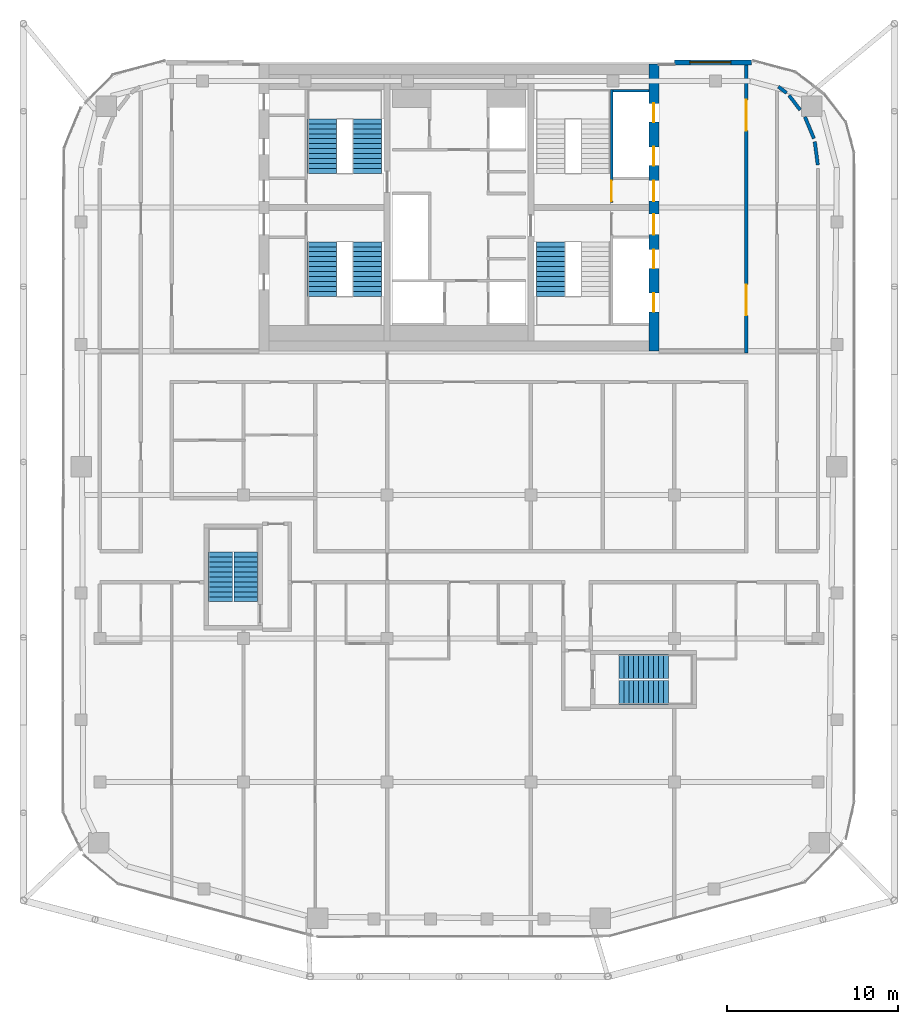
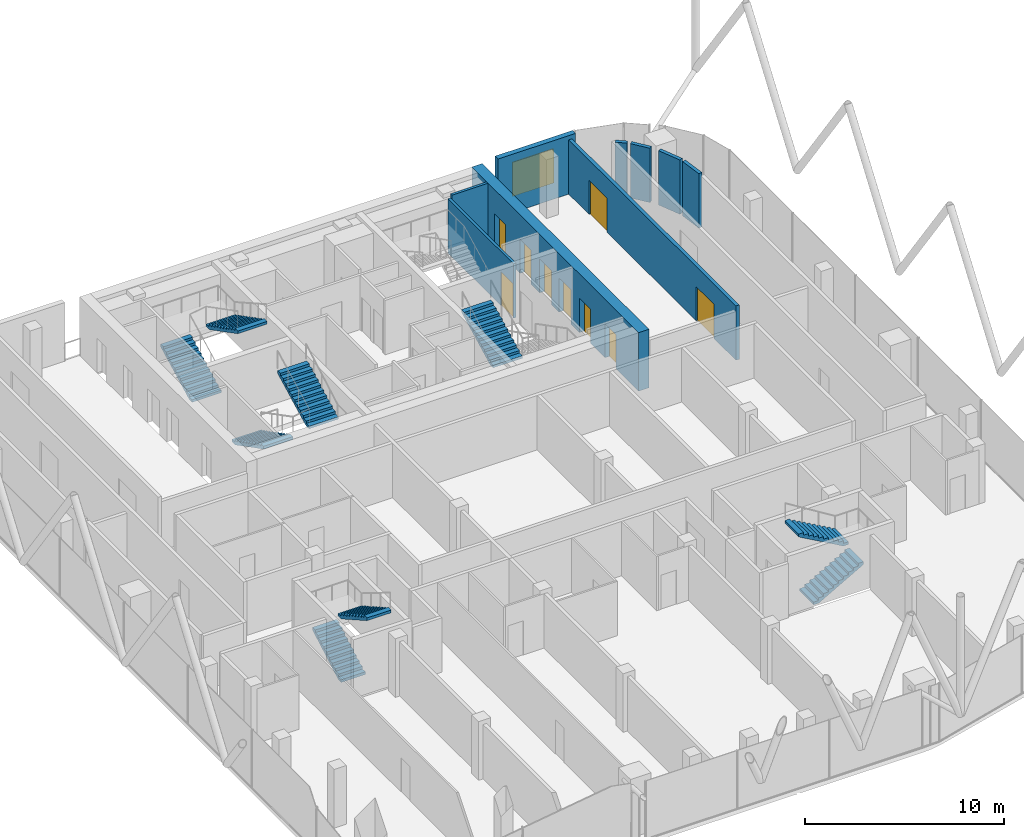
# One storey, part 25 of 27: 9 doors, 9 stair flights, 9 walls, 1 window, 10 openings, 5 elements without a shape of their own.
"""IFC4 building model written with IfcOpenShell, lengths in metres."""

from ifc_helpers import new_model, si_unit, direction, frame, frame_2d, origin, place, context, subcontext, project, spatial, polyline, rectangle, outline, extrude, material, layer, layer_set, type_object, element, fill, aggregate, save


model = new_model("IFC4")

# Units and contexts
model_context = context("Model", 3, precision=1e-05, world=origin(), true_north=direction((0.0, 1.0)))
body_context = subcontext(model_context, "Body", "Model", "MODEL_VIEW")
ifc_project = project(units=[si_unit("LENGTHUNIT", "METRE"), si_unit("AREAUNIT", "SQUARE_METRE"), si_unit("VOLUMEUNIT", "CUBIC_METRE"), si_unit("PLANEANGLEUNIT", "RADIAN"), si_unit("MASSUNIT", "GRAM", prefix="KILO")], contexts=[model_context])

# Site, building, storey
site_placement = place(None, origin())
site = spatial("IfcSite", under=ifc_project, at=site_placement, CompositionType="ELEMENT")
building_placement = place(site_placement, origin())
building = spatial("IfcBuilding", under=site, at=building_placement, Name="Marenta Gate Hotel Tower", CompositionType="ELEMENT")
storey_placement = place(building_placement, frame((0.0, 0.0, 270.5)))
storey = spatial("IfcBuildingStorey", under=building, at=storey_placement, Name="L62", CompositionType="ELEMENT", Elevation=270.5)

# Wall, opening, window
ifc_material_1 = material(Name="Concrete C40 board-marked", Category="concrete")
ifc_layer_1 = layer(ifc_material_1, 0.300048828125)
ifc_layer_set_1 = layer_set([ifc_layer_1], Name="Concrete C40 board-marked")
wall_type_1 = type_object("IfcWallType", Name="Board-marked concrete wall 300 mm", PredefinedType="NOTDEFINED", material=ifc_layer_set_1)
wall_1_placement = place(storey_placement, frame((17.10595703125, 16.889892578125, 0.0), z_axis=(0.0, 0.0, 1.0), x_axis=(-1.0, 0.0, 0.0)))
wall_1 = element("IfcWall", 1, at=wall_1_placement, inside=storey, type_object=wall_type_1, Name="L62-CLD-N00", PredefinedType="NOTDEFINED", context=body_context, shape_type="SweptSolid", body=[
    extrude(rectangle(XDim=4.505859375, YDim=0.300048828125, at=frame_2d((2.2529296875, 0.0))), origin(), (0.0, 0.0, 1.0), 3.60009765625),
])
opening_1_placement = place(wall_1_placement, frame((1.205810546875, 0.0, 0.89990234375)))
opening_1 = element("IfcOpeningElement", 2, at=opening_1_placement, cuts=wall_1, Name="Opening W1", PredefinedType="OPENING", context=body_context, shape_type="SweptSolid", body=[
    extrude(rectangle(XDim=2.39990234375, YDim=2.10009765625, at=frame_2d((1.199951171875, 1.050048828125))), frame((0.0, 0.14990234375, 0.0), z_axis=(0.0, -1.0, 0.0), x_axis=(1.0, 0.0, 0.0)), (0.0, 0.0, 1.0), 0.300048828125),
])
ifc_material_2 = material(Name="Tinted insulated glass in bronze anodised frame", Category="glass")
window_type = type_object("IfcWindowType", Name="Window W1 2400x2100 bronze frame", PartitioningType="SINGLE_PANEL", PredefinedType="WINDOW", material=ifc_material_2)
window_placement = place(opening_1_placement, origin())
window = element("IfcWindow", 3, at=window_placement, inside=storey, type_object=window_type, Name="Window W1", OverallHeight=2.10009765625, OverallWidth=2.39990234375, PartitioningType="SINGLE_PANEL", PredefinedType="WINDOW", context=body_context, shape_type="SweptSolid", body=[
    extrude(rectangle(XDim=2.39990234375, YDim=2.10009765625, at=frame_2d((1.199951171875, 1.050048828125))), frame((0.0, 0.030029296875, 0.0), z_axis=(0.0, -1.0, 0.0), x_axis=(1.0, 0.0, 0.0)), (0.0, 0.0, 1.0), 0.06005859375),
])
fill(opening_1, window)

# Wall, openings, doors
ifc_material_3 = material(Name="Concrete blockwork", Category="masonry")
ifc_layer_2 = layer(ifc_material_3, 0.199951171875)
ifc_layer_set_2 = layer_set([ifc_layer_2], Name="Concrete blockwork")
wall_type_2 = type_object("IfcWallType", Name="Core boundary wall 200 REI 180", PredefinedType="PARTITIONING", material=ifc_layer_set_2)
wall_2_placement = place(storey_placement, frame((16.800048828125, -0.10009765625, 0.0), z_axis=(0.0, 0.0, 1.0), x_axis=(0.0, 1.0, 0.0)))
wall_2 = element("IfcWall", 4, at=wall_2_placement, inside=storey, type_object=wall_type_2, Name="L62-CP-BW-E", PredefinedType="PARTITIONING", context=body_context, shape_type="SweptSolid", body=[
    extrude(rectangle(XDim=17.0, YDim=0.199951171875, at=frame_2d((8.5, 0.0))), origin(), (0.0, 0.0, 1.0), 3.340087890625),
])
opening_2_placement = place(wall_2_placement, frame((2.199951171875, 0.0, 0.0)))
opening_2 = element("IfcOpeningElement", 5, at=opening_2_placement, cuts=wall_2, Name="Opening ED-Ea-B", PredefinedType="OPENING", context=body_context, shape_type="SweptSolid", body=[
    extrude(rectangle(XDim=1.800048828125, YDim=2.10009765625, at=frame_2d((0.89990234375, 1.050048828125))), frame((0.0, 0.10009765625, 0.0), z_axis=(0.0, -1.0, 0.0), x_axis=(1.0, 0.0, 0.0)), (0.0, 0.0, 1.0), 0.199951171875),
])
opening_3_placement = place(wall_2_placement, frame((13.0, 0.0, 0.0)))
opening_3 = element("IfcOpeningElement", 6, at=opening_3_placement, cuts=wall_2, Name="Opening ED-Eb-B", PredefinedType="OPENING", context=body_context, shape_type="SweptSolid", body=[
    extrude(rectangle(XDim=1.800048828125, YDim=2.10009765625, at=frame_2d((0.89990234375, 1.050048828125))), frame((0.0, 0.10009765625, 0.0), z_axis=(0.0, -1.0, 0.0), x_axis=(1.0, 0.0, 0.0)), (0.0, 0.0, 1.0), 0.199951171875),
])
ifc_material_4 = material(Name="Steel", Category="steel")
door_type_1 = type_object("IfcDoorType", Name="Core lobby entrance door 1800x2100 EI 60", OperationType="DOUBLE_DOOR_SINGLE_SWING", PredefinedType="DOOR", material=ifc_material_4)
door_1_placement = place(opening_2_placement, origin())
door_1 = element("IfcDoor", 7, at=door_1_placement, inside=storey, type_object=door_type_1, Name="ED-Ea-B", OperationType="DOUBLE_DOOR_SINGLE_SWING", OverallHeight=2.10009765625, OverallWidth=1.800048828125, PredefinedType="DOOR", context=body_context, shape_type="SweptSolid", body=[
    extrude(rectangle(XDim=1.800048828125, YDim=2.10009765625, at=frame_2d((0.89990234375, 1.050048828125))), frame((0.0, 0.02490234375, 0.0), z_axis=(0.0, -1.0, 0.0), x_axis=(1.0, 0.0, 0.0)), (0.0, 0.0, 1.0), 0.050048828125),
])
fill(opening_2, door_1)
door_2_placement = place(opening_3_placement, origin())
door_2 = element("IfcDoor", 8, at=door_2_placement, inside=storey, type_object=door_type_1, Name="ED-Eb-B", OperationType="DOUBLE_DOOR_SINGLE_SWING", OverallHeight=2.10009765625, OverallWidth=1.800048828125, PredefinedType="DOOR", context=body_context, shape_type="SweptSolid", body=[
    extrude(rectangle(XDim=1.800048828125, YDim=2.10009765625, at=frame_2d((0.89990234375, 1.050048828125))), frame((0.0, 0.02490234375, 0.0), z_axis=(0.0, -1.0, 0.0), x_axis=(1.0, 0.0, 0.0)), (0.0, 0.0, 1.0), 0.050048828125),
])
fill(opening_3, door_2)

# Wall
ifc_material_5 = material(Name="Concrete C40", Category="concrete")
ifc_layer_3 = layer(ifc_material_5, 0.14990234375)
ifc_layer_set_3 = layer_set([ifc_layer_3], Name="Concrete C40")
wall_type_3 = type_object("IfcWallType", Name="Core shaft wall 150 REI 180", PredefinedType="SHEAR", material=ifc_layer_set_3)
wall_3_placement = place(storey_placement, frame((9.0, 15.22509765625, 0.0), z_axis=(0.0, 0.0, 1.0), x_axis=(1.0, 0.0, 0.0)))
element("IfcWall", 9, at=wall_3_placement, inside=storey, type_object=wall_type_3, Name="L62-SHF-SW-EN-5", PredefinedType="SHEAR", context=body_context, shape_type="SweptSolid", body=[
    extrude(rectangle(XDim=2.10009765625, YDim=0.14990234375, at=frame_2d((1.050048828125, 0.0))), origin(), (0.0, 0.0, 1.0), 3.60009765625),
])

# Wall, opening, door
ifc_material_6 = material(Name="Concrete C40", Category="concrete")
ifc_layer_4 = layer(ifc_material_6, 0.14990234375)
ifc_layer_set_4 = layer_set([ifc_layer_4], Name="Concrete C40")
wall_type_4 = type_object("IfcWallType", Name="Core stair enclosure wall 150 REI 180", PredefinedType="SHEAR", material=ifc_layer_set_4)
wall_4_placement = place(storey_placement, frame((8.925048828125, 8.699951171875, 0.0), z_axis=(0.0, 0.0, 1.0), x_axis=(0.0, 1.0, 0.0)))
wall_4 = element("IfcWall", 10, at=wall_4_placement, inside=storey, type_object=wall_type_4, Name="L62-SHF-SW-EN-3", PredefinedType="SHEAR", context=body_context, shape_type="SweptSolid", body=[
    extrude(rectangle(XDim=6.60009765625, YDim=0.14990234375, at=frame_2d((3.300048828125, 0.0))), origin(), (0.0, 0.0, 1.0), 3.340087890625),
])
opening_4_placement = place(wall_4_placement, frame((0.074951171875, 0.0, 0.0)))
opening_4 = element("IfcOpeningElement", 11, at=opening_4_placement, cuts=wall_4, Name="Opening SD-EN", PredefinedType="OPENING", context=body_context, shape_type="SweptSolid", body=[
    extrude(rectangle(XDim=1.199951171875, YDim=2.10009765625, at=frame_2d((0.60009765625, 1.050048828125))), frame((0.0, 0.074951171875, 0.0), z_axis=(0.0, -1.0, 0.0), x_axis=(1.0, 0.0, 0.0)), (0.0, 0.0, 1.0), 0.14990234375),
])
ifc_material_7 = material(Name="Steel", Category="steel")
door_type_2 = type_object("IfcDoorType", Name="Core stair door 1200x2100 FD60", OperationType="SINGLE_SWING_LEFT", PredefinedType="DOOR", material=ifc_material_7)
door_3_placement = place(opening_4_placement, origin())
door_3 = element("IfcDoor", 12, at=door_3_placement, inside=storey, type_object=door_type_2, Name="SD-EN", OperationType="SINGLE_SWING_LEFT", OverallHeight=2.10009765625, OverallWidth=1.199951171875, PredefinedType="DOOR", context=body_context, shape_type="SweptSolid", body=[
    extrude(rectangle(XDim=1.199951171875, YDim=2.10009765625, at=frame_2d((0.60009765625, 1.050048828125))), frame((0.0, 0.02490234375, 0.0), z_axis=(0.0, -1.0, 0.0), x_axis=(1.0, 0.0, 0.0)), (0.0, 0.0, 1.0), 0.050048828125),
])
fill(opening_4, door_3)

# Wall, openings, doors
ifc_material_8 = material(Name="Concrete C50", Category="concrete")
ifc_layer_5 = layer(ifc_material_8, 0.60009765625)
ifc_layer_set_5 = layer_set([ifc_layer_5], Name="Concrete C50")
wall_type_5 = type_object("IfcWallType", Name="Core wall 600 C50", PredefinedType="SHEAR", material=ifc_layer_set_5)
wall_5_placement = place(storey_placement, frame((11.39990234375, 0.0, 0.0), z_axis=(0.0, 0.0, 1.0), x_axis=(0.0, 1.0, 0.0)))
wall_5 = element("IfcWall", 13, at=wall_5_placement, inside=storey, type_object=wall_type_5, Name="L62-CORE-E", PredefinedType="SHEAR", context=body_context, shape_type="SweptSolid", body=[
    extrude(rectangle(XDim=16.800048828125, YDim=0.60009765625, at=frame_2d((8.39990234375, 0.0))), origin(), (0.0, 0.0, 1.0), 3.60009765625),
])
opening_5_placement = place(wall_5_placement, frame((2.300048828125, 0.0, 0.0)))
opening_5 = element("IfcOpeningElement", 14, at=opening_5_placement, cuts=wall_5, Name="Opening LD-HR1", PredefinedType="OPENING", context=body_context, shape_type="SweptSolid", body=[
    extrude(rectangle(XDim=1.10009765625, YDim=2.10009765625, at=frame_2d((0.550048828125, 1.050048828125))), frame((0.0, 0.300048828125, 0.0), z_axis=(0.0, -1.0, 0.0), x_axis=(1.0, 0.0, 0.0)), (0.0, 0.0, 1.0), 0.60009765625),
])
opening_6_placement = place(wall_5_placement, frame((4.85009765625, 0.0, 0.0)))
opening_6 = element("IfcOpeningElement", 15, at=opening_6_placement, cuts=wall_5, Name="Opening LD-HR2", PredefinedType="OPENING", context=body_context, shape_type="SweptSolid", body=[
    extrude(rectangle(XDim=1.10009765625, YDim=2.10009765625, at=frame_2d((0.550048828125, 1.050048828125))), frame((0.0, 0.300048828125, 0.0), z_axis=(0.0, -1.0, 0.0), x_axis=(1.0, 0.0, 0.0)), (0.0, 0.0, 1.0), 0.60009765625),
])
opening_7_placement = place(wall_5_placement, frame((6.824951171875, 0.0, 0.0)))
opening_7 = element("IfcOpeningElement", 16, at=opening_7_placement, cuts=wall_5, Name="Opening PD-ES", PredefinedType="OPENING", context=body_context, shape_type="SweptSolid", body=[
    extrude(rectangle(XDim=1.199951171875, YDim=2.10009765625, at=frame_2d((0.60009765625, 1.050048828125))), frame((0.0, 0.300048828125, 0.0), z_axis=(0.0, -1.0, 0.0), x_axis=(1.0, 0.0, 0.0)), (0.0, 0.0, 1.0), 0.60009765625),
])
opening_8_placement = place(wall_5_placement, frame((13.39990234375, 0.0, 0.0)))
opening_8 = element("IfcOpeningElement", 17, at=opening_8_placement, cuts=wall_5, Name="Opening LD-HR4", PredefinedType="OPENING", context=body_context, shape_type="SweptSolid", body=[
    extrude(rectangle(XDim=1.10009765625, YDim=2.10009765625, at=frame_2d((0.550048828125, 1.050048828125))), frame((0.0, 0.300048828125, 0.0), z_axis=(0.0, -1.0, 0.0), x_axis=(1.0, 0.0, 0.0)), (0.0, 0.0, 1.0), 0.60009765625),
])
opening_9_placement = place(wall_5_placement, frame((10.85009765625, 0.0, 0.0)))
opening_9 = element("IfcOpeningElement", 18, at=opening_9_placement, cuts=wall_5, Name="Opening LD-HR3", PredefinedType="OPENING", context=body_context, shape_type="SweptSolid", body=[
    extrude(rectangle(XDim=1.10009765625, YDim=2.10009765625, at=frame_2d((0.550048828125, 1.050048828125))), frame((0.0, 0.300048828125, 0.0), z_axis=(0.0, -1.0, 0.0), x_axis=(1.0, 0.0, 0.0)), (0.0, 0.0, 1.0), 0.60009765625),
])
opening_10_placement = place(wall_5_placement, frame((8.77490234375, 0.0, 0.0)))
opening_10 = element("IfcOpeningElement", 19, at=opening_10_placement, cuts=wall_5, Name="Opening PD-EN", PredefinedType="OPENING", context=body_context, shape_type="SweptSolid", body=[
    extrude(rectangle(XDim=1.199951171875, YDim=2.10009765625, at=frame_2d((0.60009765625, 1.050048828125))), frame((0.0, 0.300048828125, 0.0), z_axis=(0.0, -1.0, 0.0), x_axis=(1.0, 0.0, 0.0)), (0.0, 0.0, 1.0), 0.60009765625),
])
ifc_material_9 = material(Name="Steel", Category="steel")
door_type_3 = type_object("IfcDoorType", Name="Core lift landing door 1100x2100 E 60", OperationType="SLIDING_TO_LEFT", PredefinedType="DOOR", material=ifc_material_9)
door_4_placement = place(opening_5_placement, origin())
door_4 = element("IfcDoor", 20, at=door_4_placement, inside=storey, type_object=door_type_3, Name="LD-HR1", OperationType="SLIDING_TO_LEFT", OverallHeight=2.10009765625, OverallWidth=1.10009765625, PredefinedType="DOOR", context=body_context, shape_type="SweptSolid", body=[
    extrude(rectangle(XDim=1.10009765625, YDim=2.10009765625, at=frame_2d((0.550048828125, 1.050048828125))), frame((0.0, 0.02490234375, 0.0), z_axis=(0.0, -1.0, 0.0), x_axis=(1.0, 0.0, 0.0)), (0.0, 0.0, 1.0), 0.050048828125),
])
fill(opening_5, door_4)
door_5_placement = place(opening_6_placement, origin())
door_5 = element("IfcDoor", 21, at=door_5_placement, inside=storey, type_object=door_type_3, Name="LD-HR2", OperationType="SLIDING_TO_LEFT", OverallHeight=2.10009765625, OverallWidth=1.10009765625, PredefinedType="DOOR", context=body_context, shape_type="SweptSolid", body=[
    extrude(rectangle(XDim=1.10009765625, YDim=2.10009765625, at=frame_2d((0.550048828125, 1.050048828125))), frame((0.0, 0.02490234375, 0.0), z_axis=(0.0, -1.0, 0.0), x_axis=(1.0, 0.0, 0.0)), (0.0, 0.0, 1.0), 0.050048828125),
])
fill(opening_6, door_5)
door_6_placement = place(opening_8_placement, origin())
door_6 = element("IfcDoor", 22, at=door_6_placement, inside=storey, type_object=door_type_3, Name="LD-HR4", OperationType="SLIDING_TO_LEFT", OverallHeight=2.10009765625, OverallWidth=1.10009765625, PredefinedType="DOOR", context=body_context, shape_type="SweptSolid", body=[
    extrude(rectangle(XDim=1.10009765625, YDim=2.10009765625, at=frame_2d((0.550048828125, 1.050048828125))), frame((0.0, 0.02490234375, 0.0), z_axis=(0.0, -1.0, 0.0), x_axis=(1.0, 0.0, 0.0)), (0.0, 0.0, 1.0), 0.050048828125),
])
fill(opening_8, door_6)
door_7_placement = place(opening_9_placement, origin())
door_7 = element("IfcDoor", 23, at=door_7_placement, inside=storey, type_object=door_type_3, Name="LD-HR3", OperationType="SLIDING_TO_LEFT", OverallHeight=2.10009765625, OverallWidth=1.10009765625, PredefinedType="DOOR", context=body_context, shape_type="SweptSolid", body=[
    extrude(rectangle(XDim=1.10009765625, YDim=2.10009765625, at=frame_2d((0.550048828125, 1.050048828125))), frame((0.0, 0.02490234375, 0.0), z_axis=(0.0, -1.0, 0.0), x_axis=(1.0, 0.0, 0.0)), (0.0, 0.0, 1.0), 0.050048828125),
])
fill(opening_9, door_7)
ifc_material_10 = material(Name="Steel", Category="steel")
door_type_4 = type_object("IfcDoorType", Name="Core lobby door 1200x2100 FD60", OperationType="SINGLE_SWING_LEFT", PredefinedType="DOOR", material=ifc_material_10)
door_8_placement = place(opening_7_placement, origin())
door_8 = element("IfcDoor", 24, at=door_8_placement, inside=storey, type_object=door_type_4, Name="PD-ES", OperationType="SINGLE_SWING_LEFT", OverallHeight=2.10009765625, OverallWidth=1.199951171875, PredefinedType="DOOR", context=body_context, shape_type="SweptSolid", body=[
    extrude(rectangle(XDim=1.199951171875, YDim=2.10009765625, at=frame_2d((0.60009765625, 1.050048828125))), frame((0.0, 0.02490234375, 0.0), z_axis=(0.0, -1.0, 0.0), x_axis=(1.0, 0.0, 0.0)), (0.0, 0.0, 1.0), 0.050048828125),
])
fill(opening_7, door_8)
door_9_placement = place(opening_10_placement, origin())
door_9 = element("IfcDoor", 25, at=door_9_placement, inside=storey, type_object=door_type_4, Name="PD-EN", OperationType="SINGLE_SWING_LEFT", OverallHeight=2.10009765625, OverallWidth=1.199951171875, PredefinedType="DOOR", context=body_context, shape_type="SweptSolid", body=[
    extrude(rectangle(XDim=1.199951171875, YDim=2.10009765625, at=frame_2d((0.60009765625, 1.050048828125))), frame((0.0, 0.02490234375, 0.0), z_axis=(0.0, -1.0, 0.0), x_axis=(1.0, 0.0, 0.0)), (0.0, 0.0, 1.0), 0.050048828125),
])
fill(opening_10, door_9)

# Walls
ifc_material_11 = material(Name="Gypsum board on steel stud", Category="steel")
ifc_layer_6 = layer(ifc_material_11, 0.199951171875)
ifc_layer_set_6 = layer_set([ifc_layer_6], Name="Gypsum board on steel stud")
wall_type_6 = type_object("IfcWallType", Name="Room corridor wall 200 EI 60", PredefinedType="PARTITIONING", material=ifc_layer_set_6)
wall_6_placement = place(storey_placement, frame((18.678955078125, 15.47509765625, 0.0), z_axis=(0.0, 0.0, 1.0), x_axis=(0.794663000987, -0.607050833837, 0.0)))
element("IfcWall", 26, at=wall_6_placement, inside=storey, type_object=wall_type_6, Name="L62-PTN-W060", PredefinedType="PARTITIONING", context=body_context, shape_type="SweptSolid", body=[
    extrude(rectangle(XDim=0.61279296875, YDim=0.199951171875, at=frame_2d((0.306396484375, 0.0))), origin(), (0.0, 0.0, 1.0), 3.340087890625),
])
ifc_material_12 = material(Name="Gypsum board on steel stud", Category="steel")
ifc_layer_7 = layer(ifc_material_12, 0.199951171875)
ifc_layer_set_7 = layer_set([ifc_layer_7], Name="Gypsum board on steel stud")
wall_type_7 = type_object("IfcWallType", Name="Room party wall 200 EI 60", PredefinedType="PARTITIONING", material=ifc_layer_set_7)
wall_7_placement = place(storey_placement, frame((20.80908203125, 12.256103515625, 0.0), z_axis=(0.0, 0.0, 1.0), x_axis=(0.129841713905, -0.991534734303, 0.0)))
element("IfcWall", 27, at=wall_7_placement, inside=storey, type_object=wall_type_7, Name="L62-PTN-W057", PredefinedType="PARTITIONING", context=body_context, shape_type="SweptSolid", body=[
    extrude(rectangle(XDim=1.370849609375, YDim=0.199951171875, at=frame_2d((0.685546875, 0.0))), origin(), (0.0, 0.0, 1.0), 3.340087890625),
])
wall_8_placement = place(storey_placement, frame((20.23291015625, 13.7099609375, 0.0), z_axis=(0.0, 0.0, 1.0), x_axis=(0.383540942064, -0.923523873953, 0.0)))
element("IfcWall", 28, at=wall_8_placement, inside=storey, type_object=wall_type_7, Name="L62-PTN-W061", PredefinedType="PARTITIONING", context=body_context, shape_type="SweptSolid", body=[
    extrude(rectangle(XDim=1.371826171875, YDim=0.199951171875, at=frame_2d((0.68603515625, 0.0))), origin(), (0.0, 0.0, 1.0), 3.340087890625),
])
wall_9_placement = place(storey_placement, frame((19.302978515625, 14.966064453125, 0.0), z_axis=(0.0, 0.0, 1.0), x_axis=(0.607458536541, -0.794351387223, 0.0)))
element("IfcWall", 29, at=wall_9_placement, inside=storey, type_object=wall_type_7, Name="L62-PTN-W064", PredefinedType="PARTITIONING", context=body_context, shape_type="SweptSolid", body=[
    extrude(rectangle(XDim=1.0751953125, YDim=0.199951171875, at=frame_2d((0.53759765625, 0.0))), origin(), (0.0, 0.0, 1.0), 3.340087890625),
])

# Stair, stair flights
ifc_material_13 = material(Name="Concrete C40", Category="concrete")
stair_type_1 = type_object("IfcStairType", Name="Core exit stair 1700 wide", PredefinedType="HALF_TURN_STAIR", material=ifc_material_13)
stair_1_placement = place(storey_placement, origin())
stair_1 = element("IfcStair", 30, at=stair_1_placement, inside=storey, type_object=stair_type_1, Name="Exit stair 1", PredefinedType="HALF_TURN_STAIR")
ifc_material_14 = material(Name="Concrete C40", Category="concrete")
stair_flight_type_1 = type_object("IfcStairFlightType", Name="Core stair flight 1700 riser 150.0 going 290", PredefinedType="STRAIGHT", material=ifc_material_14)
stair_flight_1_placement = place(storey_placement, frame((-8.0, 6.39990234375, 0.0), z_axis=(0.0, 0.0, 1.0), x_axis=(0.0, -1.0, 0.0)))
stair_flight_1 = element("IfcStairFlight", 31, at=stair_flight_1_placement, type_object=stair_flight_type_1, Name="ST1 flight 1", NumberOfRisers=12, NumberOfTreads=11, PredefinedType="STRAIGHT", RiserHeight=0.15, TreadLength=0.29, context=body_context, shape_type="SweptSolid", body=[
    extrude(outline(polyline([(0.0, 0.0), (0.0, 0.14990234375), (0.2900390625, 0.14990234375), (0.2900390625, 0.300048828125), (0.580078125, 0.300048828125), (0.580078125, 0.449951171875), (0.8701171875, 0.449951171875), (0.8701171875, 0.60009765625), (1.159912109375, 0.60009765625), (1.159912109375, 0.75), (1.449951171875, 0.75), (1.449951171875, 0.89990234375), (1.739990234375, 0.89990234375), (1.739990234375, 1.050048828125), (2.030029296875, 1.050048828125), (2.030029296875, 1.199951171875), (2.320068359375, 1.199951171875), (2.320068359375, 1.35009765625), (2.610107421875, 1.35009765625), (2.610107421875, 1.5), (2.89990234375, 1.5), (2.89990234375, 1.64990234375), (3.18994140625, 1.64990234375), (3.18994140625, 1.800048828125), (3.18994140625, 1.481201171875), (0.326171875, 0.0), (0.0, 0.0)])), frame((0.0, 0.85009765625, 0.0), z_axis=(0.0, -1.0, 0.0), x_axis=(1.0, 0.0, 0.0)), (0.0, 0.0, 1.0), 1.699951171875),
])
stair_flight_2_placement = place(storey_placement, frame((-5.35009765625, 3.2099609375, 1.800048828125), z_axis=(0.0, 0.0, 1.0), x_axis=(0.0, 1.0, 0.0)))
stair_flight_2 = element("IfcStairFlight", 32, at=stair_flight_2_placement, type_object=stair_flight_type_1, Name="ST1 flight 2", NumberOfRisers=12, NumberOfTreads=11, PredefinedType="STRAIGHT", RiserHeight=0.15, TreadLength=0.29, context=body_context, shape_type="SweptSolid", body=[
    extrude(outline(polyline([(0.0, 0.0), (0.0, 0.14990234375), (0.2900390625, 0.14990234375), (0.2900390625, 0.300048828125), (0.580078125, 0.300048828125), (0.580078125, 0.449951171875), (0.8701171875, 0.449951171875), (0.8701171875, 0.60009765625), (1.159912109375, 0.60009765625), (1.159912109375, 0.75), (1.449951171875, 0.75), (1.449951171875, 0.89990234375), (1.739990234375, 0.89990234375), (1.739990234375, 1.050048828125), (2.030029296875, 1.050048828125), (2.030029296875, 1.199951171875), (2.320068359375, 1.199951171875), (2.320068359375, 1.35009765625), (2.610107421875, 1.35009765625), (2.610107421875, 1.5), (2.89990234375, 1.5), (2.89990234375, 1.64990234375), (3.18994140625, 1.64990234375), (3.18994140625, 1.800048828125), (3.18994140625, 1.481201171875), (0.326171875, 0.0), (0.0, 0.0)])), frame((0.0, 0.85009765625, 0.0), z_axis=(0.0, -1.0, 0.0), x_axis=(1.0, 0.0, 0.0)), (0.0, 0.0, 1.0), 1.699951171875),
])
aggregate(stair_1, [stair_flight_1, stair_flight_2])

stair_2_placement = place(storey_placement, origin())
stair_2 = element("IfcStair", 33, at=stair_2_placement, inside=storey, type_object=stair_type_1, Name="Exit stair 2", PredefinedType="HALF_TURN_STAIR")
stair_flight_3_placement = place(storey_placement, frame((-8.0, 10.39990234375, 0.0), z_axis=(0.0, 0.0, 1.0), x_axis=(0.0, 1.0, 0.0)))
stair_flight_3 = element("IfcStairFlight", 34, at=stair_flight_3_placement, type_object=stair_flight_type_1, Name="ST2 flight 1", NumberOfRisers=12, NumberOfTreads=11, PredefinedType="STRAIGHT", RiserHeight=0.15, TreadLength=0.29, context=body_context, shape_type="SweptSolid", body=[
    extrude(outline(polyline([(0.0, 0.0), (0.0, 0.14990234375), (0.2900390625, 0.14990234375), (0.2900390625, 0.300048828125), (0.580078125, 0.300048828125), (0.580078125, 0.449951171875), (0.8701171875, 0.449951171875), (0.8701171875, 0.60009765625), (1.159912109375, 0.60009765625), (1.159912109375, 0.75), (1.449951171875, 0.75), (1.449951171875, 0.89990234375), (1.739990234375, 0.89990234375), (1.739990234375, 1.050048828125), (2.030029296875, 1.050048828125), (2.030029296875, 1.199951171875), (2.320068359375, 1.199951171875), (2.320068359375, 1.35009765625), (2.610107421875, 1.35009765625), (2.610107421875, 1.5), (2.89990234375, 1.5), (2.89990234375, 1.64990234375), (3.18994140625, 1.64990234375), (3.18994140625, 1.800048828125), (3.18994140625, 1.481201171875), (0.326171875, 0.0), (0.0, 0.0)])), frame((0.0, 0.85009765625, 0.0), z_axis=(0.0, -1.0, 0.0), x_axis=(1.0, 0.0, 0.0)), (0.0, 0.0, 1.0), 1.699951171875),
])
stair_flight_4_placement = place(storey_placement, frame((-5.35009765625, 13.590087890625, 1.800048828125), z_axis=(0.0, 0.0, 1.0), x_axis=(0.0, -1.0, 0.0)))
stair_flight_4 = element("IfcStairFlight", 35, at=stair_flight_4_placement, type_object=stair_flight_type_1, Name="ST2 flight 2", NumberOfRisers=12, NumberOfTreads=11, PredefinedType="STRAIGHT", RiserHeight=0.15, TreadLength=0.29, context=body_context, shape_type="SweptSolid", body=[
    extrude(outline(polyline([(0.0, 0.0), (0.0, 0.14990234375), (0.2900390625, 0.14990234375), (0.2900390625, 0.300048828125), (0.580078125, 0.300048828125), (0.580078125, 0.449951171875), (0.8701171875, 0.449951171875), (0.8701171875, 0.60009765625), (1.159912109375, 0.60009765625), (1.159912109375, 0.75), (1.449951171875, 0.75), (1.449951171875, 0.89990234375), (1.739990234375, 0.89990234375), (1.739990234375, 1.050048828125), (2.030029296875, 1.050048828125), (2.030029296875, 1.199951171875), (2.320068359375, 1.199951171875), (2.320068359375, 1.35009765625), (2.610107421875, 1.35009765625), (2.610107421875, 1.5), (2.89990234375, 1.5), (2.89990234375, 1.64990234375), (3.18994140625, 1.64990234375), (3.18994140625, 1.800048828125), (3.18994140625, 1.481201171875), (0.326171875, 0.0), (0.0, 0.0)])), frame((0.0, 0.85009765625, 0.0), z_axis=(0.0, -1.0, 0.0), x_axis=(1.0, 0.0, 0.0)), (0.0, 0.0, 1.0), 1.699951171875),
])
aggregate(stair_2, [stair_flight_3, stair_flight_4])

# Stair, stair flight
stair_3_placement = place(storey_placement, origin())
stair_3 = element("IfcStair", 36, at=stair_3_placement, inside=storey, type_object=stair_type_1, Name="Exit stair 3", PredefinedType="HALF_TURN_STAIR")
stair_flight_5_placement = place(storey_placement, frame((5.35009765625, 3.2099609375, 1.800048828125), z_axis=(0.0, 0.0, 1.0), x_axis=(0.0, 1.0, 0.0)))
stair_flight_5 = element("IfcStairFlight", 37, at=stair_flight_5_placement, type_object=stair_flight_type_1, Name="ST3 flight 2", NumberOfRisers=12, NumberOfTreads=11, PredefinedType="STRAIGHT", RiserHeight=0.15, TreadLength=0.29, context=body_context, shape_type="SweptSolid", body=[
    extrude(outline(polyline([(0.0, 0.0), (0.0, 0.14990234375), (0.2900390625, 0.14990234375), (0.2900390625, 0.300048828125), (0.580078125, 0.300048828125), (0.580078125, 0.449951171875), (0.8701171875, 0.449951171875), (0.8701171875, 0.60009765625), (1.159912109375, 0.60009765625), (1.159912109375, 0.75), (1.449951171875, 0.75), (1.449951171875, 0.89990234375), (1.739990234375, 0.89990234375), (1.739990234375, 1.050048828125), (2.030029296875, 1.050048828125), (2.030029296875, 1.199951171875), (2.320068359375, 1.199951171875), (2.320068359375, 1.35009765625), (2.610107421875, 1.35009765625), (2.610107421875, 1.5), (2.89990234375, 1.5), (2.89990234375, 1.64990234375), (3.18994140625, 1.64990234375), (3.18994140625, 1.800048828125), (3.18994140625, 1.481201171875), (0.326171875, 0.0), (0.0, 0.0)])), frame((0.0, 0.85009765625, 0.0), z_axis=(0.0, -1.0, 0.0), x_axis=(1.0, 0.0, 0.0)), (0.0, 0.0, 1.0), 1.699951171875),
])
aggregate(stair_3, [stair_flight_5])

# Stair, stair flights
ifc_material_15 = material(Name="Concrete C40", Category="concrete")
stair_type_2 = type_object("IfcStairType", Name="Remote exit stair 1400 wide", PredefinedType="HALF_TURN_STAIR", material=ifc_material_15)
stair_4_placement = place(storey_placement, origin())
stair_4 = element("IfcStair", 38, at=stair_4_placement, inside=storey, type_object=stair_type_2, Name="Exit stair RS-Z4-1", PredefinedType="HALF_TURN_STAIR")
ifc_material_16 = material(Name="Concrete C40", Category="concrete")
stair_flight_type_2 = type_object("IfcStairFlightType", Name="Remote stair flight 1400 riser 163.6 going 290", PredefinedType="STRAIGHT", material=ifc_material_16)
stair_flight_6_placement = place(storey_placement, frame((9.35009765625, -19.949951171875, 0.0), z_axis=(0.0, 0.0, 1.0), x_axis=(1.0, 0.0, 0.0)))
stair_flight_6 = element("IfcStairFlight", 39, at=stair_flight_6_placement, type_object=stair_flight_type_2, Name="RS-Z4-1 flight 1", NumberOfRisers=11, NumberOfTreads=10, PredefinedType="STRAIGHT", RiserHeight=0.163636, TreadLength=0.29, context=body_context, shape_type="SweptSolid", body=[
    extrude(outline(polyline([(0.0, 0.0), (0.0, 0.16357421875), (0.2900390625, 0.16357421875), (0.2900390625, 0.327392578125), (0.580078125, 0.327392578125), (0.580078125, 0.490966796875), (0.8701171875, 0.490966796875), (0.8701171875, 0.654541015625), (1.159912109375, 0.654541015625), (1.159912109375, 0.818115234375), (1.449951171875, 0.818115234375), (1.449951171875, 0.98193359375), (1.739990234375, 0.98193359375), (1.739990234375, 1.1455078125), (2.030029296875, 1.1455078125), (2.030029296875, 1.30908203125), (2.320068359375, 1.30908203125), (2.320068359375, 1.47265625), (2.610107421875, 1.47265625), (2.610107421875, 1.636474609375), (2.89990234375, 1.636474609375), (2.89990234375, 1.800048828125), (2.89990234375, 1.46435546875), (0.304931640625, 0.0), (0.0, 0.0)])), frame((0.0, 0.699951171875, 0.0), z_axis=(0.0, -1.0, 0.0), x_axis=(1.0, 0.0, 0.0)), (0.0, 0.0, 1.0), 1.39990234375),
])
stair_flight_7_placement = place(storey_placement, frame((12.25, -18.449951171875, 1.800048828125), z_axis=(0.0, 0.0, 1.0), x_axis=(-1.0, 0.0, 0.0)))
stair_flight_7 = element("IfcStairFlight", 40, at=stair_flight_7_placement, type_object=stair_flight_type_2, Name="RS-Z4-1 flight 2", NumberOfRisers=11, NumberOfTreads=10, PredefinedType="STRAIGHT", RiserHeight=0.163636, TreadLength=0.29, context=body_context, shape_type="SweptSolid", body=[
    extrude(outline(polyline([(0.0, 0.0), (0.0, 0.16357421875), (0.2900390625, 0.16357421875), (0.2900390625, 0.327392578125), (0.580078125, 0.327392578125), (0.580078125, 0.490966796875), (0.8701171875, 0.490966796875), (0.8701171875, 0.654541015625), (1.159912109375, 0.654541015625), (1.159912109375, 0.818115234375), (1.449951171875, 0.818115234375), (1.449951171875, 0.98193359375), (1.739990234375, 0.98193359375), (1.739990234375, 1.1455078125), (2.030029296875, 1.1455078125), (2.030029296875, 1.30908203125), (2.320068359375, 1.30908203125), (2.320068359375, 1.47265625), (2.610107421875, 1.47265625), (2.610107421875, 1.636474609375), (2.89990234375, 1.636474609375), (2.89990234375, 1.800048828125), (2.89990234375, 1.46435546875), (0.304931640625, 0.0), (0.0, 0.0)])), frame((0.0, 0.699951171875, 0.0), z_axis=(0.0, -1.0, 0.0), x_axis=(1.0, 0.0, 0.0)), (0.0, 0.0, 1.0), 1.39990234375),
])
aggregate(stair_4, [stair_flight_6, stair_flight_7])

stair_5_placement = place(storey_placement, origin())
stair_5 = element("IfcStair", 41, at=stair_5_placement, inside=storey, type_object=stair_type_2, Name="Exit stair RS-Z4-2", PredefinedType="HALF_TURN_STAIR")
stair_flight_8_placement = place(storey_placement, frame((-13.949951171875, -14.64990234375, 0.0), z_axis=(0.0, 0.0, 1.0), x_axis=(0.0, 1.0, 0.0)))
stair_flight_8 = element("IfcStairFlight", 42, at=stair_flight_8_placement, type_object=stair_flight_type_2, Name="RS-Z4-2 flight 1", NumberOfRisers=11, NumberOfTreads=10, PredefinedType="STRAIGHT", RiserHeight=0.163636, TreadLength=0.29, context=body_context, shape_type="SweptSolid", body=[
    extrude(outline(polyline([(0.0, 0.0), (0.0, 0.16357421875), (0.2900390625, 0.16357421875), (0.2900390625, 0.327392578125), (0.580078125, 0.327392578125), (0.580078125, 0.490966796875), (0.8701171875, 0.490966796875), (0.8701171875, 0.654541015625), (1.159912109375, 0.654541015625), (1.159912109375, 0.818115234375), (1.449951171875, 0.818115234375), (1.449951171875, 0.98193359375), (1.739990234375, 0.98193359375), (1.739990234375, 1.1455078125), (2.030029296875, 1.1455078125), (2.030029296875, 1.30908203125), (2.320068359375, 1.30908203125), (2.320068359375, 1.47265625), (2.610107421875, 1.47265625), (2.610107421875, 1.636474609375), (2.89990234375, 1.636474609375), (2.89990234375, 1.800048828125), (2.89990234375, 1.46435546875), (0.304931640625, 0.0), (0.0, 0.0)])), frame((0.0, 0.699951171875, 0.0), z_axis=(0.0, -1.0, 0.0), x_axis=(1.0, 0.0, 0.0)), (0.0, 0.0, 1.0), 1.39990234375),
])
stair_flight_9_placement = place(storey_placement, frame((-12.449951171875, -11.75, 1.800048828125), z_axis=(0.0, 0.0, 1.0), x_axis=(0.0, -1.0, 0.0)))
stair_flight_9 = element("IfcStairFlight", 43, at=stair_flight_9_placement, type_object=stair_flight_type_2, Name="RS-Z4-2 flight 2", NumberOfRisers=11, NumberOfTreads=10, PredefinedType="STRAIGHT", RiserHeight=0.163636, TreadLength=0.29, context=body_context, shape_type="SweptSolid", body=[
    extrude(outline(polyline([(0.0, 0.0), (0.0, 0.16357421875), (0.2900390625, 0.16357421875), (0.2900390625, 0.327392578125), (0.580078125, 0.327392578125), (0.580078125, 0.490966796875), (0.8701171875, 0.490966796875), (0.8701171875, 0.654541015625), (1.159912109375, 0.654541015625), (1.159912109375, 0.818115234375), (1.449951171875, 0.818115234375), (1.449951171875, 0.98193359375), (1.739990234375, 0.98193359375), (1.739990234375, 1.1455078125), (2.030029296875, 1.1455078125), (2.030029296875, 1.30908203125), (2.320068359375, 1.30908203125), (2.320068359375, 1.47265625), (2.610107421875, 1.47265625), (2.610107421875, 1.636474609375), (2.89990234375, 1.636474609375), (2.89990234375, 1.800048828125), (2.89990234375, 1.46435546875), (0.304931640625, 0.0), (0.0, 0.0)])), frame((0.0, 0.699951171875, 0.0), z_axis=(0.0, -1.0, 0.0), x_axis=(1.0, 0.0, 0.0)), (0.0, 0.0, 1.0), 1.39990234375),
])
aggregate(stair_5, [stair_flight_8, stair_flight_9])

save(model, "model.ifc")
